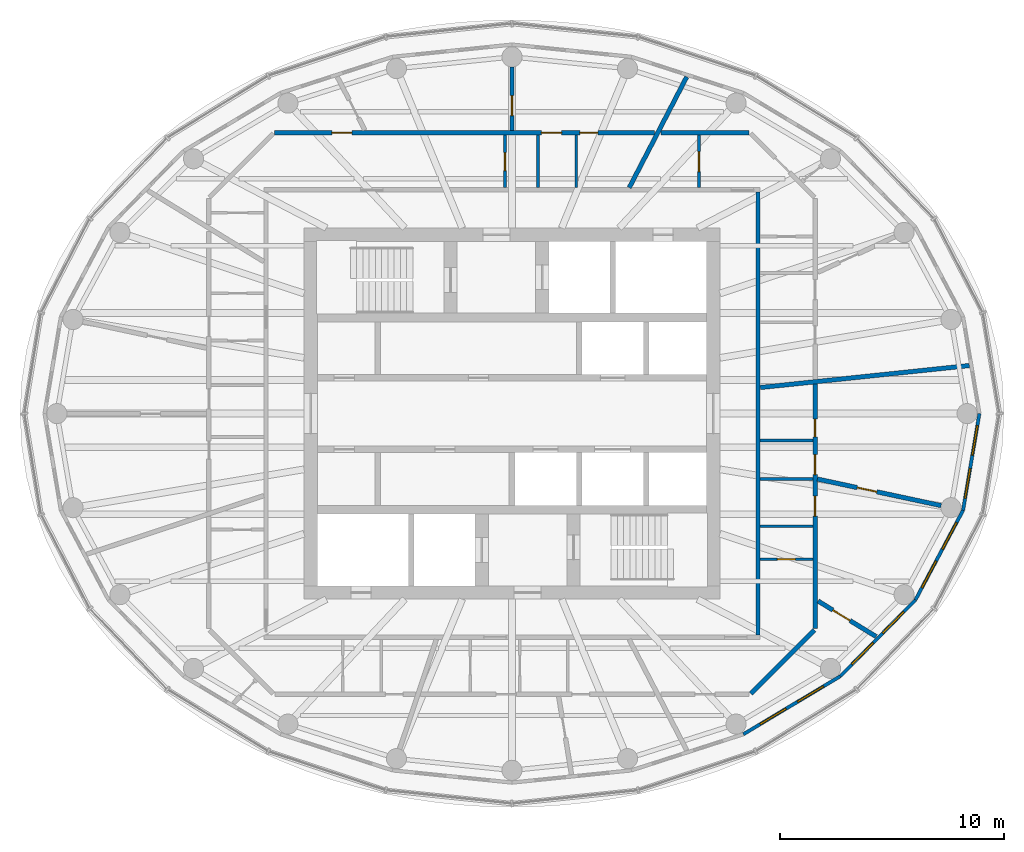
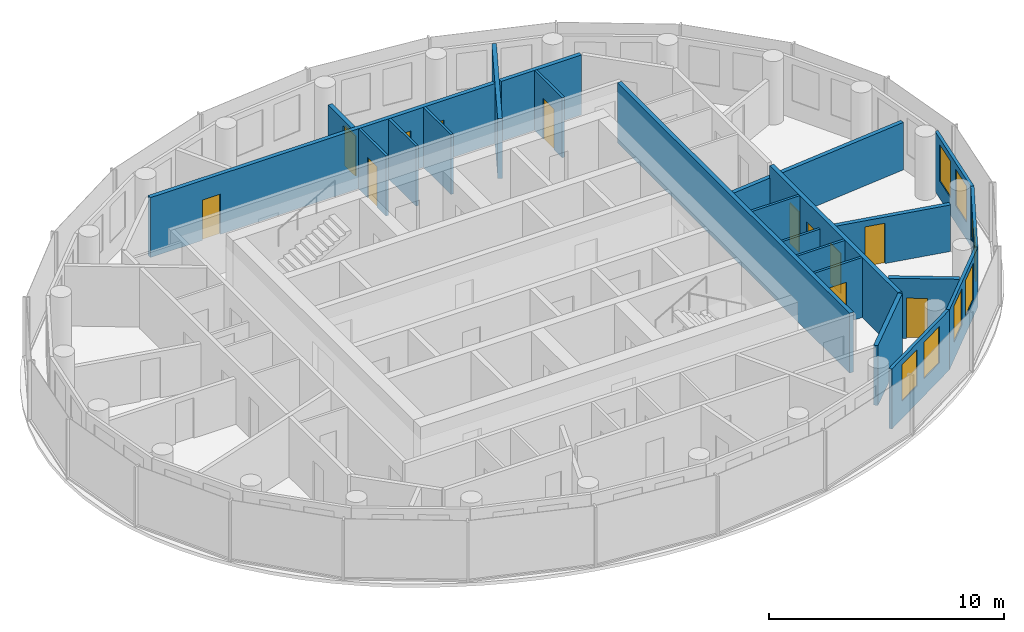
# One storey, part 8 of 11: 22 walls, 12 doors, 8 windows, 20 openings.
"""IFC4 building model written with IfcOpenShell, lengths in metres."""

from ifc_helpers import new_model, si_unit, direction, frame, frame_2d, origin, place, context, subcontext, project, spatial, rectangle, extrude, material, layer, layer_set, type_object, element, fill, save


model = new_model("IFC4")

# Units and contexts
model_context = context("Model", 3, precision=1e-05, world=origin(), true_north=direction((0.0, 1.0)))
body_context = subcontext(model_context, "Body", "Model", "MODEL_VIEW")
ifc_project = project(units=[si_unit("LENGTHUNIT", "METRE"), si_unit("AREAUNIT", "SQUARE_METRE"), si_unit("VOLUMEUNIT", "CUBIC_METRE"), si_unit("PLANEANGLEUNIT", "RADIAN"), si_unit("MASSUNIT", "GRAM", prefix="KILO")], contexts=[model_context])

# Site, building, storey
site_placement = place(None, origin())
site = spatial("IfcSite", under=ifc_project, at=site_placement, CompositionType="ELEMENT")
building_placement = place(site_placement, origin())
building = spatial("IfcBuilding", under=site, at=building_placement, Name="Hankou Lantern Tower", CompositionType="ELEMENT")
storey_placement = place(building_placement, frame((0.0, 0.0, 209.39990234375)))
storey = spatial("IfcBuildingStorey", under=building, at=storey_placement, Name="L56", CompositionType="ELEMENT", Elevation=209.39990234375)

# Wall, openings, windows
ifc_material_1 = material(Name="Aluminium spandrel panel on steel studs", Category="steel")
ifc_layer_1 = layer(ifc_material_1, 0.14990234375)
ifc_layer_set_1 = layer_set([ifc_layer_1], Name="Aluminium spandrel panel on steel studs")
wall_type_1 = type_object("IfcWallType", Name="EW1 INNER SKIN WALL 150", PredefinedType="ELEMENTEDWALL", material=ifc_layer_set_1)
wall_1_placement = place(storey_placement, frame((10.346435546875, -14.33642578125, 0.0), z_axis=(0.0, 0.0, 1.0), x_axis=(0.85822150553, 0.513279502265, 0.0)))
wall_1 = element("IfcWall", 1, at=wall_1_placement, inside=storey, type_object=wall_type_1, Name="Inner skin R21-R22 L56", PredefinedType="ELEMENTEDWALL", context=body_context, shape_type="SweptSolid", body=[
    extrude(rectangle(XDim=5.050048828125, YDim=0.14990234375, at=frame_2d((2.52490234375, 0.0))), origin(), (0.0, 0.0, 1.0), 3.1201171875),
])
opening_1_placement = place(wall_1_placement, frame((0.875, 0.0, 0.89990234375)))
opening_1 = element("IfcOpeningElement", 2, at=opening_1_placement, cuts=wall_1, Name="Opening W4", PredefinedType="OPENING", context=body_context, shape_type="SweptSolid", body=[
    extrude(rectangle(XDim=1.35009765625, YDim=1.89990234375, at=frame_2d((0.675048828125, 0.949951171875))), frame((0.0, 0.0849609375, 0.0), z_axis=(0.0, -1.0, 0.0), x_axis=(1.0, 0.0, 0.0)), (0.0, 0.0, 1.0), 0.169921875),
])
opening_2_placement = place(wall_1_placement, frame((2.824951171875, 0.0, 0.89990234375)))
opening_2 = element("IfcOpeningElement", 3, at=opening_2_placement, cuts=wall_1, Name="Opening W4", PredefinedType="OPENING", context=body_context, shape_type="SweptSolid", body=[
    extrude(rectangle(XDim=1.35009765625, YDim=1.89990234375, at=frame_2d((0.675048828125, 0.949951171875))), frame((0.0, 0.0849609375, 0.0), z_axis=(0.0, -1.0, 0.0), x_axis=(1.0, 0.0, 0.0)), (0.0, 0.0, 1.0), 0.169921875),
])
ifc_material_2 = material(Name="Aluminium framed double glazed window", Category="aluminium")
window_type = type_object("IfcWindowType", Name="W4 SUITE WINDOW 1350X1900", PartitioningType="DOUBLE_PANEL_VERTICAL", PredefinedType="WINDOW", material=ifc_material_2)
window_1_placement = place(opening_1_placement, origin())
window_1 = element("IfcWindow", 4, at=window_1_placement, inside=storey, type_object=window_type, Name="Window R21.1 L56", OverallHeight=1.89990234375, OverallWidth=1.35009765625, PartitioningType="SINGLE_PANEL", PredefinedType="WINDOW", context=body_context, shape_type="SweptSolid", body=[
    extrude(rectangle(XDim=1.35009765625, YDim=1.89990234375, at=frame_2d((0.675048828125, 0.949951171875))), frame((0.0, 0.030029296875, 0.0), z_axis=(0.0, -1.0, 0.0), x_axis=(1.0, 0.0, 0.0)), (0.0, 0.0, 1.0), 0.06005859375),
])
fill(opening_1, window_1)
window_2_placement = place(opening_2_placement, origin())
window_2 = element("IfcWindow", 5, at=window_2_placement, inside=storey, type_object=window_type, Name="Window R21.2 L56", OverallHeight=1.89990234375, OverallWidth=1.35009765625, PartitioningType="SINGLE_PANEL", PredefinedType="WINDOW", context=body_context, shape_type="SweptSolid", body=[
    extrude(rectangle(XDim=1.35009765625, YDim=1.89990234375, at=frame_2d((0.675048828125, 0.949951171875))), frame((0.0, 0.030029296875, 0.0), z_axis=(0.0, -1.0, 0.0), x_axis=(1.0, 0.0, 0.0)), (0.0, 0.0, 1.0), 0.06005859375),
])
fill(opening_2, window_2)

wall_2_placement = place(storey_placement, frame((14.680419921875, -11.744384765625, 0.0), z_axis=(0.0, 0.0, 1.0), x_axis=(0.701527379618, 0.712642501993, 0.0)))
wall_2 = element("IfcWall", 6, at=wall_2_placement, inside=storey, type_object=wall_type_1, Name="Inner skin R22-R23 L56", PredefinedType="ELEMENTEDWALL", context=body_context, shape_type="SweptSolid", body=[
    extrude(rectangle(XDim=4.788330078125, YDim=0.14990234375, at=frame_2d((2.39404296875, 0.0))), origin(), (0.0, 0.0, 1.0), 3.1201171875),
])
opening_3_placement = place(wall_2_placement, frame((0.744140625, 0.0, 0.89990234375)))
opening_3 = element("IfcOpeningElement", 7, at=opening_3_placement, cuts=wall_2, Name="Opening W4", PredefinedType="OPENING", context=body_context, shape_type="SweptSolid", body=[
    extrude(rectangle(XDim=1.35009765625, YDim=1.89990234375, at=frame_2d((0.675048828125, 0.949951171875))), frame((0.0, 0.0849609375, 0.0), z_axis=(0.0, -1.0, 0.0), x_axis=(1.0, 0.0, 0.0)), (0.0, 0.0, 1.0), 0.169921875),
])
opening_4_placement = place(wall_2_placement, frame((2.694091796875, 0.0, 0.89990234375)))
opening_4 = element("IfcOpeningElement", 8, at=opening_4_placement, cuts=wall_2, Name="Opening W4", PredefinedType="OPENING", context=body_context, shape_type="SweptSolid", body=[
    extrude(rectangle(XDim=1.35009765625, YDim=1.89990234375, at=frame_2d((0.675048828125, 0.949951171875))), frame((0.0, 0.0849609375, 0.0), z_axis=(0.0, -1.0, 0.0), x_axis=(1.0, 0.0, 0.0)), (0.0, 0.0, 1.0), 0.169921875),
])
window_3_placement = place(opening_3_placement, origin())
window_3 = element("IfcWindow", 9, at=window_3_placement, inside=storey, type_object=window_type, Name="Window R22.1 L56", OverallHeight=1.89990234375, OverallWidth=1.35009765625, PartitioningType="SINGLE_PANEL", PredefinedType="WINDOW", context=body_context, shape_type="SweptSolid", body=[
    extrude(rectangle(XDim=1.35009765625, YDim=1.89990234375, at=frame_2d((0.675048828125, 0.949951171875))), frame((0.0, 0.030029296875, 0.0), z_axis=(0.0, -1.0, 0.0), x_axis=(1.0, 0.0, 0.0)), (0.0, 0.0, 1.0), 0.06005859375),
])
fill(opening_3, window_3)
window_4_placement = place(opening_4_placement, origin())
window_4 = element("IfcWindow", 10, at=window_4_placement, inside=storey, type_object=window_type, Name="Window R22.2 L56", OverallHeight=1.89990234375, OverallWidth=1.35009765625, PartitioningType="SINGLE_PANEL", PredefinedType="WINDOW", context=body_context, shape_type="SweptSolid", body=[
    extrude(rectangle(XDim=1.35009765625, YDim=1.89990234375, at=frame_2d((0.675048828125, 0.949951171875))), frame((0.0, 0.030029296875, 0.0), z_axis=(0.0, -1.0, 0.0), x_axis=(1.0, 0.0, 0.0)), (0.0, 0.0, 1.0), 0.06005859375),
])
fill(opening_4, window_4)

wall_3_placement = place(storey_placement, frame((18.03955078125, -8.33203125, 0.0), z_axis=(0.0, 0.0, 1.0), x_axis=(0.469256152955, 0.883062094597, 0.0)))
wall_3 = element("IfcWall", 11, at=wall_3_placement, inside=storey, type_object=wall_type_1, Name="Inner skin R23-R24 L56", PredefinedType="ELEMENTEDWALL", context=body_context, shape_type="SweptSolid", body=[
    extrude(rectangle(XDim=4.539306640625, YDim=0.14990234375, at=frame_2d((2.26953125, 0.0))), origin(), (0.0, 0.0, 1.0), 3.1201171875),
])
opening_5_placement = place(wall_3_placement, frame((0.61962890625, 0.0, 0.89990234375)))
opening_5 = element("IfcOpeningElement", 12, at=opening_5_placement, cuts=wall_3, Name="Opening W4", PredefinedType="OPENING", context=body_context, shape_type="SweptSolid", body=[
    extrude(rectangle(XDim=1.35009765625, YDim=1.89990234375, at=frame_2d((0.675048828125, 0.949951171875))), frame((0.0, 0.0849609375, 0.0), z_axis=(0.0, -1.0, 0.0), x_axis=(1.0, 0.0, 0.0)), (0.0, 0.0, 1.0), 0.169921875),
])
opening_6_placement = place(wall_3_placement, frame((2.569580078125, 0.0, 0.89990234375)))
opening_6 = element("IfcOpeningElement", 13, at=opening_6_placement, cuts=wall_3, Name="Opening W4", PredefinedType="OPENING", context=body_context, shape_type="SweptSolid", body=[
    extrude(rectangle(XDim=1.35009765625, YDim=1.89990234375, at=frame_2d((0.675048828125, 0.949951171875))), frame((0.0, 0.0849609375, 0.0), z_axis=(0.0, -1.0, 0.0), x_axis=(1.0, 0.0, 0.0)), (0.0, 0.0, 1.0), 0.169921875),
])
window_5_placement = place(opening_5_placement, origin())
window_5 = element("IfcWindow", 14, at=window_5_placement, inside=storey, type_object=window_type, Name="Window R23.1 L56", OverallHeight=1.89990234375, OverallWidth=1.35009765625, PartitioningType="SINGLE_PANEL", PredefinedType="WINDOW", context=body_context, shape_type="SweptSolid", body=[
    extrude(rectangle(XDim=1.35009765625, YDim=1.89990234375, at=frame_2d((0.675048828125, 0.949951171875))), frame((0.0, 0.030029296875, 0.0), z_axis=(0.0, -1.0, 0.0), x_axis=(1.0, 0.0, 0.0)), (0.0, 0.0, 1.0), 0.06005859375),
])
fill(opening_5, window_5)
window_6_placement = place(opening_6_placement, origin())
window_6 = element("IfcWindow", 15, at=window_6_placement, inside=storey, type_object=window_type, Name="Window R23.2 L56", OverallHeight=1.89990234375, OverallWidth=1.35009765625, PartitioningType="SINGLE_PANEL", PredefinedType="WINDOW", context=body_context, shape_type="SweptSolid", body=[
    extrude(rectangle(XDim=1.35009765625, YDim=1.89990234375, at=frame_2d((0.675048828125, 0.949951171875))), frame((0.0, 0.030029296875, 0.0), z_axis=(0.0, -1.0, 0.0), x_axis=(1.0, 0.0, 0.0)), (0.0, 0.0, 1.0), 0.06005859375),
])
fill(opening_6, window_6)

wall_4_placement = place(storey_placement, frame((20.169677734375, -4.323486328125, 0.0), z_axis=(0.0, 0.0, 1.0), x_axis=(0.166538513568, 0.986034950445, 0.0)))
wall_4 = element("IfcWall", 16, at=wall_4_placement, inside=storey, type_object=wall_type_1, Name="Inner skin R24-R01 L56", PredefinedType="ELEMENTEDWALL", context=body_context, shape_type="SweptSolid", body=[
    extrude(rectangle(XDim=4.384765625, YDim=0.14990234375, at=frame_2d((2.1923828125, 0.0))), origin(), (0.0, 0.0, 1.0), 3.1201171875),
])
opening_7_placement = place(wall_4_placement, frame((0.54248046875, 0.0, 0.89990234375)))
opening_7 = element("IfcOpeningElement", 17, at=opening_7_placement, cuts=wall_4, Name="Opening W4", PredefinedType="OPENING", context=body_context, shape_type="SweptSolid", body=[
    extrude(rectangle(XDim=1.35009765625, YDim=1.89990234375, at=frame_2d((0.675048828125, 0.949951171875))), frame((0.0, 0.0849609375, 0.0), z_axis=(0.0, -1.0, 0.0), x_axis=(1.0, 0.0, 0.0)), (0.0, 0.0, 1.0), 0.169921875),
])
opening_8_placement = place(wall_4_placement, frame((2.492431640625, 0.0, 0.89990234375)))
opening_8 = element("IfcOpeningElement", 18, at=opening_8_placement, cuts=wall_4, Name="Opening W4", PredefinedType="OPENING", context=body_context, shape_type="SweptSolid", body=[
    extrude(rectangle(XDim=1.35009765625, YDim=1.89990234375, at=frame_2d((0.675048828125, 0.949951171875))), frame((0.0, 0.0849609375, 0.0), z_axis=(0.0, -1.0, 0.0), x_axis=(1.0, 0.0, 0.0)), (0.0, 0.0, 1.0), 0.169921875),
])
window_7_placement = place(opening_7_placement, origin())
window_7 = element("IfcWindow", 19, at=window_7_placement, inside=storey, type_object=window_type, Name="Window R24.1 L56", OverallHeight=1.89990234375, OverallWidth=1.35009765625, PartitioningType="SINGLE_PANEL", PredefinedType="WINDOW", context=body_context, shape_type="SweptSolid", body=[
    extrude(rectangle(XDim=1.35009765625, YDim=1.89990234375, at=frame_2d((0.675048828125, 0.949951171875))), frame((0.0, 0.030029296875, 0.0), z_axis=(0.0, -1.0, 0.0), x_axis=(1.0, 0.0, 0.0)), (0.0, 0.0, 1.0), 0.06005859375),
])
fill(opening_7, window_7)
window_8_placement = place(opening_8_placement, origin())
window_8 = element("IfcWindow", 20, at=window_8_placement, inside=storey, type_object=window_type, Name="Window R24.2 L56", OverallHeight=1.89990234375, OverallWidth=1.35009765625, PartitioningType="SINGLE_PANEL", PredefinedType="WINDOW", context=body_context, shape_type="SweptSolid", body=[
    extrude(rectangle(XDim=1.35009765625, YDim=1.89990234375, at=frame_2d((0.675048828125, 0.949951171875))), frame((0.0, 0.030029296875, 0.0), z_axis=(0.0, -1.0, 0.0), x_axis=(1.0, 0.0, 0.0)), (0.0, 0.0, 1.0), 0.06005859375),
])
fill(opening_8, window_8)

# Walls
ifc_material_3 = material(Name="Masonry lightweight concrete block", Category="masonry")
ifc_layer_2 = layer(ifc_material_3, 0.199951171875)
ifc_layer_set_2 = layer_set([ifc_layer_2], Name="Masonry lightweight concrete block")
wall_type_2 = type_object("IfcWallType", Name="IW1 GUEST ROOM PARTY WALL 200", PredefinedType="PARTITIONING", material=ifc_layer_set_2)
wall_5_placement = place(storey_placement, frame((11.10009765625, 1.166015625, 0.0), z_axis=(0.0, 0.0, 1.0), x_axis=(0.994527487125, 0.104475247564, 0.0)))
element("IfcWall", 21, at=wall_5_placement, inside=storey, type_object=wall_type_2, Name="Party wall R01-R02", PredefinedType="PARTITIONING", context=body_context, shape_type="SweptSolid", body=[
    extrude(rectangle(XDim=9.401123046875, YDim=0.199951171875, at=frame_2d((4.70068359375, 0.0))), origin(), (0.0, 0.0, 1.0), 2.47021484375),
])
wall_6_placement = place(storey_placement, frame((5.2412109375, 10.10009765625, 0.0), z_axis=(0.0, 0.0, 1.0), x_axis=(0.460603196597, 0.887606160008, 0.0)))
element("IfcWall", 22, at=wall_6_placement, inside=storey, type_object=wall_type_2, Name="Party wall R05-R06", PredefinedType="PARTITIONING", context=body_context, shape_type="SweptSolid", body=[
    extrude(rectangle(XDim=5.580322265625, YDim=0.199951171875, at=frame_2d((2.7900390625, 0.0))), origin(), (0.0, 0.0, 1.0), 3.1201171875),
])
ifc_material_4 = material(Name="Masonry lightweight concrete block", Category="masonry")
ifc_layer_3 = layer(ifc_material_4, 0.199951171875)
ifc_layer_set_3 = layer_set([ifc_layer_3], Name="Masonry lightweight concrete block")
wall_type_3 = type_object("IfcWallType", Name="IW2 CORRIDOR WALL 200", PredefinedType="PARTITIONING", material=ifc_layer_set_3)
wall_7_placement = place(storey_placement, frame((11.0, -9.89990234375, 0.0), z_axis=(0.0, 0.0, 1.0), x_axis=(0.0, 1.0, 0.0)))
element("IfcWall", 23, at=wall_7_placement, inside=storey, type_object=wall_type_3, Name="Corridor wall east", PredefinedType="PARTITIONING", context=body_context, shape_type="SweptSolid", body=[
    extrude(rectangle(XDim=19.7998046875, YDim=0.199951171875, at=frame_2d((9.89990234375, 0.0))), origin(), (0.0, 0.0, 1.0), 3.1201171875),
])

# Wall, opening, door
ifc_material_5 = material(Name="Masonry lightweight concrete block", Category="masonry")
ifc_layer_4 = layer(ifc_material_5, 0.1201171875)
ifc_layer_set_4 = layer_set([ifc_layer_4], Name="Masonry lightweight concrete block")
wall_type_4 = type_object("IfcWallType", Name="IW3 BATHROOM WALL 120", PredefinedType="PARTITIONING", material=ifc_layer_set_4)
wall_8_placement = place(storey_placement, frame((8.362548828125, 10.10009765625, 0.0), z_axis=(0.0, 0.0, 1.0), x_axis=(0.0, 1.0, 0.0)))
wall_8 = element("IfcWall", 24, at=wall_8_placement, inside=storey, type_object=wall_type_4, Name="Box wall 5601 4", PredefinedType="PARTITIONING", context=body_context, shape_type="SweptSolid", body=[
    extrude(rectangle(XDim=2.349853515625, YDim=0.1201171875, at=frame_2d((1.1748046875, 0.0))), origin(), (0.0, 0.0, 1.0), 3.1201171875),
])
opening_9_placement = place(wall_8_placement, frame((0.719970703125, 0.0, 0.0)))
opening_9 = element("IfcOpeningElement", 25, at=opening_9_placement, cuts=wall_8, Name="Opening D27", PredefinedType="OPENING", context=body_context, shape_type="SweptSolid", body=[
    extrude(rectangle(XDim=0.89990234375, YDim=2.10009765625, at=frame_2d((0.449951171875, 1.050048828125))), frame((0.0, 0.070068359375, 0.0), z_axis=(0.0, -1.0, 0.0), x_axis=(1.0, 0.0, 0.0)), (0.0, 0.0, 1.0), 0.14013671875),
])
ifc_material_6 = material(Name="Timber door leaf", Category="wood")
door_type_1 = type_object("IfcDoorType", Name="D27 INTERNAL DOOR 900X2100", OperationType="SINGLE_SWING_LEFT", PredefinedType="DOOR", material=ifc_material_6)
door_1_placement = place(opening_9_placement, origin())
door_1 = element("IfcDoor", 26, at=door_1_placement, inside=storey, type_object=door_type_1, Name="Corner suite 5601 pantry door", OperationType="SINGLE_SWING_LEFT", OverallHeight=2.10009765625, OverallWidth=0.89990234375, PredefinedType="DOOR", context=body_context, shape_type="SweptSolid", body=[
    extrude(rectangle(XDim=0.89990234375, YDim=2.10009765625, at=frame_2d((0.449951171875, 1.050048828125))), frame((0.0, 0.02490234375, 0.0), z_axis=(0.0, -1.0, 0.0), x_axis=(1.0, 0.0, 0.0)), (0.0, 0.0, 1.0), 0.050048828125),
])
fill(opening_9, door_1)

# Walls
for number, where, z_axis, x_axis, name in (
    (27, (2.87890625, 10.10009765625, 0.0), (0.0, 0.0, 1.0), (0.0, 1.0, 0.0), "Box wall 5602 1"),
    (28, (1.158935546875, 10.10009765625, 0.0), (0.0, 0.0, 1.0), (0.0, 1.0, 0.0), "Box wall 5602 2"),
):
    element("IfcWall", number, at=place(storey_placement, frame(where, z_axis=z_axis, x_axis=x_axis)), inside=storey, type_object=wall_type_4, Name=name, PredefinedType="PARTITIONING", context=body_context, shape_type="SweptSolid", body=[
        extrude(rectangle(XDim=2.349853515625, YDim=0.1201171875, at=frame_2d((1.1748046875, 0.0))), origin(), (0.0, 0.0, 1.0), 3.1201171875),
    ])

# Wall, opening, door
wall_9_placement = place(storey_placement, frame((-0.31103515625, 10.10009765625, 0.0), z_axis=(0.0, 0.0, 1.0), x_axis=(0.0, 1.0, 0.0)))
wall_9 = element("IfcWall", 29, at=wall_9_placement, inside=storey, type_object=wall_type_4, Name="Box wall 5602 3", PredefinedType="PARTITIONING", context=body_context, shape_type="SweptSolid", body=[
    extrude(rectangle(XDim=2.349853515625, YDim=0.1201171875, at=frame_2d((1.1748046875, 0.0))), origin(), (0.0, 0.0, 1.0), 3.1201171875),
])
opening_10_placement = place(wall_9_placement, frame((0.77001953125, 0.0, 0.0)))
opening_10 = element("IfcOpeningElement", 30, at=opening_10_placement, cuts=wall_9, Name="Opening D3", PredefinedType="OPENING", context=body_context, shape_type="SweptSolid", body=[
    extrude(rectangle(XDim=0.800048828125, YDim=2.10009765625, at=frame_2d((0.39990234375, 1.050048828125))), frame((0.0, 0.070068359375, 0.0), z_axis=(0.0, -1.0, 0.0), x_axis=(1.0, 0.0, 0.0)), (0.0, 0.0, 1.0), 0.14013671875),
])
ifc_material_7 = material(Name="Timber door leaf", Category="wood")
door_type_2 = type_object("IfcDoorType", Name="D3 BATHROOM DOOR 800X2100", OperationType="SINGLE_SWING_LEFT", PredefinedType="DOOR", material=ifc_material_7)
door_2_placement = place(opening_10_placement, origin())
door_2 = element("IfcDoor", 31, at=door_2_placement, inside=storey, type_object=door_type_2, Name="Corner suite 5602 guest WC door", OperationType="SINGLE_SWING_LEFT", OverallHeight=2.10009765625, OverallWidth=0.800048828125, PredefinedType="DOOR", context=body_context, shape_type="SweptSolid", body=[
    extrude(rectangle(XDim=0.800048828125, YDim=2.10009765625, at=frame_2d((0.39990234375, 1.050048828125))), frame((0.0, 0.02490234375, 0.0), z_axis=(0.0, -1.0, 0.0), x_axis=(1.0, 0.0, 0.0)), (0.0, 0.0, 1.0), 0.050048828125),
])
fill(opening_10, door_2)

wall_10_placement = place(storey_placement, frame((11.10009765625, -6.513671875, 0.0), z_axis=(0.0, 0.0, 1.0), x_axis=(1.0, 0.0, 0.0)))
wall_10 = element("IfcWall", 32, at=wall_10_placement, inside=storey, type_object=wall_type_4, Name="Box wall 5606 1", PredefinedType="PARTITIONING", context=body_context, shape_type="SweptSolid", body=[
    extrude(rectangle(XDim=2.349853515625, YDim=0.1201171875, at=frame_2d((1.1748046875, 0.0))), origin(), (0.0, 0.0, 1.0), 3.1201171875),
])
opening_11_placement = place(wall_10_placement, frame((0.77001953125, 0.0, 0.0)))
opening_11 = element("IfcOpeningElement", 33, at=opening_11_placement, cuts=wall_10, Name="Opening D3", PredefinedType="OPENING", context=body_context, shape_type="SweptSolid", body=[
    extrude(rectangle(XDim=0.800048828125, YDim=2.10009765625, at=frame_2d((0.39990234375, 1.050048828125))), frame((0.0, 0.070068359375, 0.0), z_axis=(0.0, -1.0, 0.0), x_axis=(1.0, 0.0, 0.0)), (0.0, 0.0, 1.0), 0.14013671875),
])
door_3_placement = place(opening_11_placement, origin())
door_3 = element("IfcDoor", 34, at=door_3_placement, inside=storey, type_object=door_type_2, Name="Corner suite 5606 guest WC door", OperationType="SINGLE_SWING_LEFT", OverallHeight=2.10009765625, OverallWidth=0.800048828125, PredefinedType="DOOR", context=body_context, shape_type="SweptSolid", body=[
    extrude(rectangle(XDim=0.800048828125, YDim=2.10009765625, at=frame_2d((0.39990234375, 1.050048828125))), frame((0.0, 0.02490234375, 0.0), z_axis=(0.0, -1.0, 0.0), x_axis=(1.0, 0.0, 0.0)), (0.0, 0.0, 1.0), 0.050048828125),
])
fill(opening_11, door_3)

# Walls
wall_11_placement = place(storey_placement, frame((11.10009765625, -5.043701171875, 0.0), z_axis=(0.0, 0.0, 1.0), x_axis=(1.0, 0.0, 0.0)))
element("IfcWall", 35, at=wall_11_placement, inside=storey, type_object=wall_type_4, Name="Box wall 5606 2", PredefinedType="PARTITIONING", context=body_context, shape_type="SweptSolid", body=[
    extrude(rectangle(XDim=2.349853515625, YDim=0.1201171875, at=frame_2d((1.1748046875, 0.0))), origin(), (0.0, 0.0, 1.0), 3.1201171875),
])
wall_12_placement = place(storey_placement, frame((11.10009765625, -2.923583984375, 0.0), z_axis=(0.0, 0.0, 1.0), x_axis=(1.0, 0.0, 0.0)))
element("IfcWall", 36, at=wall_12_placement, inside=storey, type_object=wall_type_4, Name="Box wall 5606 3", PredefinedType="PARTITIONING", context=body_context, shape_type="SweptSolid", body=[
    extrude(rectangle(XDim=2.349853515625, YDim=0.1201171875, at=frame_2d((1.1748046875, 0.0))), origin(), (0.0, 0.0, 1.0), 2.420166015625),
])
wall_13_placement = place(storey_placement, frame((11.10009765625, -1.20361328125, 0.0), z_axis=(0.0, 0.0, 1.0), x_axis=(1.0, 0.0, 0.0)))
element("IfcWall", 37, at=wall_13_placement, inside=storey, type_object=wall_type_4, Name="Box wall 5606 4", PredefinedType="PARTITIONING", context=body_context, shape_type="SweptSolid", body=[
    extrude(rectangle(XDim=2.349853515625, YDim=0.1201171875, at=frame_2d((1.1748046875, 0.0))), origin(), (0.0, 0.0, 1.0), 3.1201171875),
])
ifc_material_8 = material(Name="Masonry lightweight concrete block", Category="masonry")
ifc_layer_5 = layer(ifc_material_8, 0.199951171875)
ifc_layer_set_5 = layer_set([ifc_layer_5], Name="Masonry lightweight concrete block")
wall_type_5 = type_object("IfcWallType", Name="IW6 SUITE PARTITION 200", PredefinedType="PARTITIONING", material=ifc_layer_set_5)
wall_14_placement = place(storey_placement, frame((10.608642578125, 12.550048828125, 0.0), z_axis=(0.0, 0.0, 1.0), x_axis=(-1.0, 0.0, 0.0)))
element("IfcWall", 38, at=wall_14_placement, inside=storey, type_object=wall_type_5, Name="Suite foyer wall 5601", PredefinedType="PARTITIONING", context=body_context, shape_type="SweptSolid", body=[
    extrude(rectangle(XDim=3.947265625, YDim=0.199951171875, at=frame_2d((1.9736328125, 0.0))), origin(), (0.0, 0.0, 1.0), 3.1201171875),
])

# Wall, openings, doors
wall_15_placement = place(storey_placement, frame((6.36376953125, 12.550048828125, 0.0), z_axis=(0.0, 0.0, 1.0), x_axis=(-1.0, 0.0, 0.0)))
wall_15 = element("IfcWall", 39, at=wall_15_placement, inside=storey, type_object=wall_type_5, Name="Suite foyer wall 5602", PredefinedType="PARTITIONING", context=body_context, shape_type="SweptSolid", body=[
    extrude(rectangle(XDim=16.972412109375, YDim=0.199951171875, at=frame_2d((8.486328125, 0.0))), origin(), (0.0, 0.0, 1.0), 3.1201171875),
])
opening_12_placement = place(wall_15_placement, frame((2.524658203125, 0.0, 0.0)))
opening_12 = element("IfcOpeningElement", 40, at=opening_12_placement, cuts=wall_15, Name="Opening D3", PredefinedType="OPENING", context=body_context, shape_type="SweptSolid", body=[
    extrude(rectangle(XDim=0.800048828125, YDim=2.10009765625, at=frame_2d((0.39990234375, 1.050048828125))), frame((0.0, 0.10986328125, 0.0), z_axis=(0.0, -1.0, 0.0), x_axis=(1.0, 0.0, 0.0)), (0.0, 0.0, 1.0), 0.219970703125),
])
opening_13_placement = place(wall_15_placement, frame((4.144775390625, 0.0, 0.0)))
opening_13 = element("IfcOpeningElement", 41, at=opening_13_placement, cuts=wall_15, Name="Opening D27", PredefinedType="OPENING", context=body_context, shape_type="SweptSolid", body=[
    extrude(rectangle(XDim=0.89990234375, YDim=2.10009765625, at=frame_2d((0.449951171875, 1.050048828125))), frame((0.0, 0.10986328125, 0.0), z_axis=(0.0, -1.0, 0.0), x_axis=(1.0, 0.0, 0.0)), (0.0, 0.0, 1.0), 0.219970703125),
])
opening_14_placement = place(wall_15_placement, frame((13.52001953125, 0.0, 0.0)))
opening_14 = element("IfcOpeningElement", 42, at=opening_14_placement, cuts=wall_15, Name="Opening D27", PredefinedType="OPENING", context=body_context, shape_type="SweptSolid", body=[
    extrude(rectangle(XDim=0.89990234375, YDim=2.10009765625, at=frame_2d((0.449951171875, 1.050048828125))), frame((0.0, 0.10986328125, 0.0), z_axis=(0.0, -1.0, 0.0), x_axis=(1.0, 0.0, 0.0)), (0.0, 0.0, 1.0), 0.219970703125),
])
door_4_placement = place(opening_13_placement, origin())
door_4 = element("IfcDoor", 43, at=door_4_placement, inside=storey, type_object=door_type_1, Name="Corner suite 5602 walk-in wardrobe door", OperationType="SINGLE_SWING_RIGHT", OverallHeight=2.10009765625, OverallWidth=0.89990234375, PredefinedType="DOOR", context=body_context, shape_type="SweptSolid", body=[
    extrude(rectangle(XDim=0.89990234375, YDim=2.10009765625, at=frame_2d((0.449951171875, 1.050048828125))), frame((0.0, 0.02490234375, 0.0), z_axis=(0.0, -1.0, 0.0), x_axis=(1.0, 0.0, 0.0)), (0.0, 0.0, 1.0), 0.050048828125),
])
fill(opening_13, door_4)
door_5_placement = place(opening_14_placement, origin())
door_5 = element("IfcDoor", 44, at=door_5_placement, inside=storey, type_object=door_type_1, Name="Corner suite 5602 living room door", OperationType="SINGLE_SWING_LEFT", OverallHeight=2.10009765625, OverallWidth=0.89990234375, PredefinedType="DOOR", context=body_context, shape_type="SweptSolid", body=[
    extrude(rectangle(XDim=0.89990234375, YDim=2.10009765625, at=frame_2d((0.449951171875, 1.050048828125))), frame((0.0, 0.02490234375, 0.0), z_axis=(0.0, -1.0, 0.0), x_axis=(1.0, 0.0, 0.0)), (0.0, 0.0, 1.0), 0.050048828125),
])
fill(opening_14, door_5)
door_6_placement = place(opening_12_placement, origin())
door_6 = element("IfcDoor", 45, at=door_6_placement, inside=storey, type_object=door_type_2, Name="Corner suite 5602 bathroom door", OperationType="SINGLE_SWING_RIGHT", OverallHeight=2.10009765625, OverallWidth=0.800048828125, PredefinedType="DOOR", context=body_context, shape_type="SweptSolid", body=[
    extrude(rectangle(XDim=0.800048828125, YDim=2.10009765625, at=frame_2d((0.39990234375, 1.050048828125))), frame((0.0, 0.02490234375, 0.0), z_axis=(0.0, -1.0, 0.0), x_axis=(1.0, 0.0, 0.0)), (0.0, 0.0, 1.0), 0.050048828125),
])
fill(opening_12, door_6)

# Wall, opening, door
wall_16_placement = place(storey_placement, frame((0.0, 12.64990234375, 0.0), z_axis=(0.0, 0.0, 1.0), x_axis=(0.0, 1.0, 0.0)))
wall_16 = element("IfcWall", 46, at=wall_16_placement, inside=storey, type_object=wall_type_5, Name="Suite partition R07", PredefinedType="PARTITIONING", context=body_context, shape_type="SweptSolid", body=[
    extrude(rectangle(XDim=2.85009765625, YDim=0.199951171875, at=frame_2d((1.425048828125, 0.0))), origin(), (0.0, 0.0, 1.0), 2.420166015625),
])
opening_15_placement = place(wall_16_placement, frame((0.669921875, 0.0, 0.0)))
opening_15 = element("IfcOpeningElement", 47, at=opening_15_placement, cuts=wall_16, Name="Opening D27", PredefinedType="OPENING", context=body_context, shape_type="SweptSolid", body=[
    extrude(rectangle(XDim=0.89990234375, YDim=2.10009765625, at=frame_2d((0.449951171875, 1.050048828125))), frame((0.0, 0.10986328125, 0.0), z_axis=(0.0, -1.0, 0.0), x_axis=(1.0, 0.0, 0.0)), (0.0, 0.0, 1.0), 0.219970703125),
])
door_7_placement = place(opening_15_placement, origin())
door_7 = element("IfcDoor", 48, at=door_7_placement, inside=storey, type_object=door_type_1, Name="Corner suite 5602 dining room door", OperationType="SINGLE_SWING_LEFT", OverallHeight=2.10009765625, OverallWidth=0.89990234375, PredefinedType="DOOR", context=body_context, shape_type="SweptSolid", body=[
    extrude(rectangle(XDim=0.89990234375, YDim=2.10009765625, at=frame_2d((0.449951171875, 1.050048828125))), frame((0.0, 0.02490234375, 0.0), z_axis=(0.0, -1.0, 0.0), x_axis=(1.0, 0.0, 0.0)), (0.0, 0.0, 1.0), 0.050048828125),
])
fill(opening_15, door_7)

# Wall
wall_17_placement = place(storey_placement, frame((10.67919921875, -12.520751953125, 0.0), z_axis=(0.0, 0.0, 1.0), x_axis=(0.707106781187, 0.707106781187, 0.0)))
element("IfcWall", 49, at=wall_17_placement, inside=storey, type_object=wall_type_5, Name="Suite foyer wall 5606", PredefinedType="PARTITIONING", context=body_context, shape_type="SweptSolid", body=[
    extrude(rectangle(XDim=4.0185546875, YDim=0.199951171875, at=frame_2d((2.00927734375, 0.0))), origin(), (0.0, 0.0, 1.0), 3.1201171875),
])

# Wall, openings, doors
wall_18_placement = place(storey_placement, frame((13.550048828125, -9.608642578125, 0.0), z_axis=(0.0, 0.0, 1.0), x_axis=(0.0, 1.0, 0.0)))
wall_18 = element("IfcWall", 50, at=wall_18_placement, inside=storey, type_object=wall_type_5, Name="Suite foyer wall 5606", PredefinedType="PARTITIONING", context=body_context, shape_type="SweptSolid", body=[
    extrude(rectangle(XDim=10.930419921875, YDim=0.199951171875, at=frame_2d((5.46533203125, 0.0))), origin(), (0.0, 0.0, 1.0), 3.1201171875),
])
opening_16_placement = place(wall_18_placement, frame((5.02001953125, 0.0, 0.0)))
opening_16 = element("IfcOpeningElement", 51, at=opening_16_placement, cuts=wall_18, Name="Opening D27", PredefinedType="OPENING", context=body_context, shape_type="SweptSolid", body=[
    extrude(rectangle(XDim=0.89990234375, YDim=2.10009765625, at=frame_2d((0.449951171875, 1.050048828125))), frame((0.0, 0.10986328125, 0.0), z_axis=(0.0, -1.0, 0.0), x_axis=(1.0, 0.0, 0.0)), (0.0, 0.0, 1.0), 0.219970703125),
])
opening_17_placement = place(wall_18_placement, frame((6.876953125, 0.0, 0.0)))
opening_17 = element("IfcOpeningElement", 52, at=opening_17_placement, cuts=wall_18, Name="Opening D27", PredefinedType="OPENING", context=body_context, shape_type="SweptSolid", body=[
    extrude(rectangle(XDim=0.89990234375, YDim=2.10009765625, at=frame_2d((0.449951171875, 1.050048828125))), frame((0.0, 0.10986328125, 0.0), z_axis=(0.0, -1.0, 0.0), x_axis=(1.0, 0.0, 0.0)), (0.0, 0.0, 1.0), 0.219970703125),
])
opening_18_placement = place(wall_18_placement, frame((8.56494140625, 0.0, 0.0)))
opening_18 = element("IfcOpeningElement", 53, at=opening_18_placement, cuts=wall_18, Name="Opening D3", PredefinedType="OPENING", context=body_context, shape_type="SweptSolid", body=[
    extrude(rectangle(XDim=0.800048828125, YDim=2.10009765625, at=frame_2d((0.39990234375, 1.050048828125))), frame((0.0, 0.10986328125, 0.0), z_axis=(0.0, -1.0, 0.0), x_axis=(1.0, 0.0, 0.0)), (0.0, 0.0, 1.0), 0.219970703125),
])
door_8_placement = place(opening_16_placement, origin())
door_8 = element("IfcDoor", 54, at=door_8_placement, inside=storey, type_object=door_type_1, Name="Corner suite 5606 pantry door", OperationType="SINGLE_SWING_LEFT", OverallHeight=2.10009765625, OverallWidth=0.89990234375, PredefinedType="DOOR", context=body_context, shape_type="SweptSolid", body=[
    extrude(rectangle(XDim=0.89990234375, YDim=2.10009765625, at=frame_2d((0.449951171875, 1.050048828125))), frame((0.0, 0.02490234375, 0.0), z_axis=(0.0, -1.0, 0.0), x_axis=(1.0, 0.0, 0.0)), (0.0, 0.0, 1.0), 0.050048828125),
])
fill(opening_16, door_8)
door_9_placement = place(opening_17_placement, origin())
door_9 = element("IfcDoor", 55, at=door_9_placement, inside=storey, type_object=door_type_1, Name="Corner suite 5606 walk-in wardrobe door", OperationType="SINGLE_SWING_LEFT", OverallHeight=2.10009765625, OverallWidth=0.89990234375, PredefinedType="DOOR", context=body_context, shape_type="SweptSolid", body=[
    extrude(rectangle(XDim=0.89990234375, YDim=2.10009765625, at=frame_2d((0.449951171875, 1.050048828125))), frame((0.0, 0.02490234375, 0.0), z_axis=(0.0, -1.0, 0.0), x_axis=(1.0, 0.0, 0.0)), (0.0, 0.0, 1.0), 0.050048828125),
])
fill(opening_17, door_9)
door_10_placement = place(opening_18_placement, origin())
door_10 = element("IfcDoor", 56, at=door_10_placement, inside=storey, type_object=door_type_2, Name="Corner suite 5606 bathroom door", OperationType="SINGLE_SWING_LEFT", OverallHeight=2.10009765625, OverallWidth=0.800048828125, PredefinedType="DOOR", context=body_context, shape_type="SweptSolid", body=[
    extrude(rectangle(XDim=0.800048828125, YDim=2.10009765625, at=frame_2d((0.39990234375, 1.050048828125))), frame((0.0, 0.02490234375, 0.0), z_axis=(0.0, -1.0, 0.0), x_axis=(1.0, 0.0, 0.0)), (0.0, 0.0, 1.0), 0.050048828125),
])
fill(opening_18, door_10)

# Wall, opening, door
wall_19_placement = place(storey_placement, frame((13.6884765625, -8.38232421875, 0.0), z_axis=(0.0, 0.0, 1.0), x_axis=(0.852783459586, -0.522264656144, 0.0)))
wall_19 = element("IfcWall", 57, at=wall_19_placement, inside=storey, type_object=wall_type_5, Name="Suite partition R22-R23", PredefinedType="PARTITIONING", context=body_context, shape_type="SweptSolid", body=[
    extrude(rectangle(XDim=3.041748046875, YDim=0.199951171875, at=frame_2d((1.52099609375, 0.0))), origin(), (0.0, 0.0, 1.0), 3.1201171875),
])
opening_19_placement = place(wall_19_placement, frame((0.77001953125, 0.0, 0.0)))
opening_19 = element("IfcOpeningElement", 58, at=opening_19_placement, cuts=wall_19, Name="Opening D27", PredefinedType="OPENING", context=body_context, shape_type="SweptSolid", body=[
    extrude(rectangle(XDim=0.89990234375, YDim=2.10009765625, at=frame_2d((0.449951171875, 1.050048828125))), frame((0.0, 0.10986328125, 0.0), z_axis=(0.0, -1.0, 0.0), x_axis=(1.0, 0.0, 0.0)), (0.0, 0.0, 1.0), 0.219970703125),
])
door_11_placement = place(opening_19_placement, origin())
door_11 = element("IfcDoor", 59, at=door_11_placement, inside=storey, type_object=door_type_1, Name="Corner suite 5606 dining room door", OperationType="SINGLE_SWING_LEFT", OverallHeight=2.10009765625, OverallWidth=0.89990234375, PredefinedType="DOOR", context=body_context, shape_type="SweptSolid", body=[
    extrude(rectangle(XDim=0.89990234375, YDim=2.10009765625, at=frame_2d((0.449951171875, 1.050048828125))), frame((0.0, 0.02490234375, 0.0), z_axis=(0.0, -1.0, 0.0), x_axis=(1.0, 0.0, 0.0)), (0.0, 0.0, 1.0), 0.050048828125),
])
fill(opening_19, door_11)

wall_20_placement = place(storey_placement, frame((13.65478515625, -2.927001953125, 0.0), z_axis=(0.0, 0.0, 1.0), x_axis=(0.977790419294, -0.209585056568, 0.0)))
wall_20 = element("IfcWall", 60, at=wall_20_placement, inside=storey, type_object=wall_type_5, Name="Suite partition R24", PredefinedType="PARTITIONING", context=body_context, shape_type="SweptSolid", body=[
    extrude(rectangle(XDim=5.66015625, YDim=0.199951171875, at=frame_2d((2.830078125, 0.0))), origin(), (0.0, 0.0, 1.0), 2.420166015625),
])
opening_20_placement = place(wall_20_placement, frame((1.820068359375, 0.0, 0.0)))
opening_20 = element("IfcOpeningElement", 61, at=opening_20_placement, cuts=wall_20, Name="Opening D27", PredefinedType="OPENING", context=body_context, shape_type="SweptSolid", body=[
    extrude(rectangle(XDim=0.89990234375, YDim=2.10009765625, at=frame_2d((0.449951171875, 1.050048828125))), frame((0.0, 0.10986328125, 0.0), z_axis=(0.0, -1.0, 0.0), x_axis=(1.0, 0.0, 0.0)), (0.0, 0.0, 1.0), 0.219970703125),
])
door_12_placement = place(opening_20_placement, origin())
door_12 = element("IfcDoor", 62, at=door_12_placement, inside=storey, type_object=door_type_1, Name="Corner suite 5606 bedroom door", OperationType="SINGLE_SWING_LEFT", OverallHeight=2.10009765625, OverallWidth=0.89990234375, PredefinedType="DOOR", context=body_context, shape_type="SweptSolid", body=[
    extrude(rectangle(XDim=0.89990234375, YDim=2.10009765625, at=frame_2d((0.449951171875, 1.050048828125))), frame((0.0, 0.02490234375, 0.0), z_axis=(0.0, -1.0, 0.0), x_axis=(1.0, 0.0, 0.0)), (0.0, 0.0, 1.0), 0.050048828125),
])
fill(opening_20, door_12)

save(model, "model.ifc")
